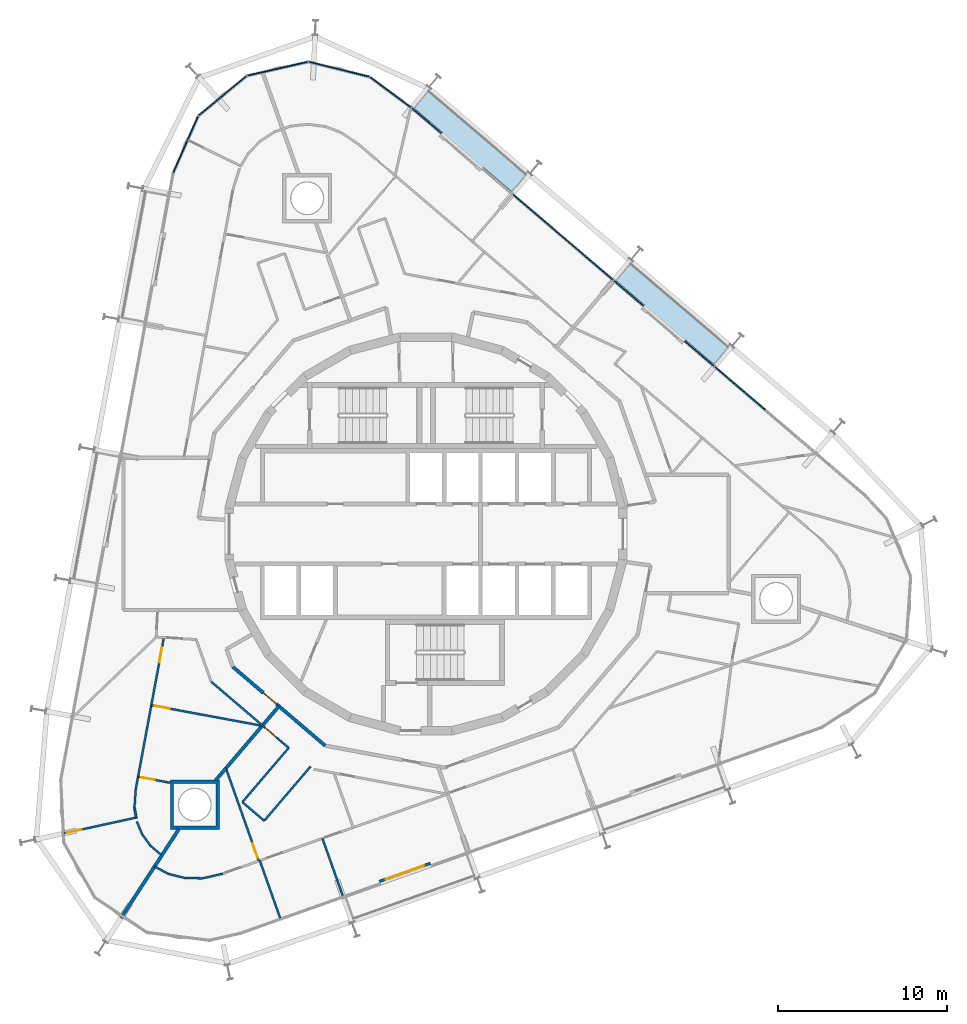
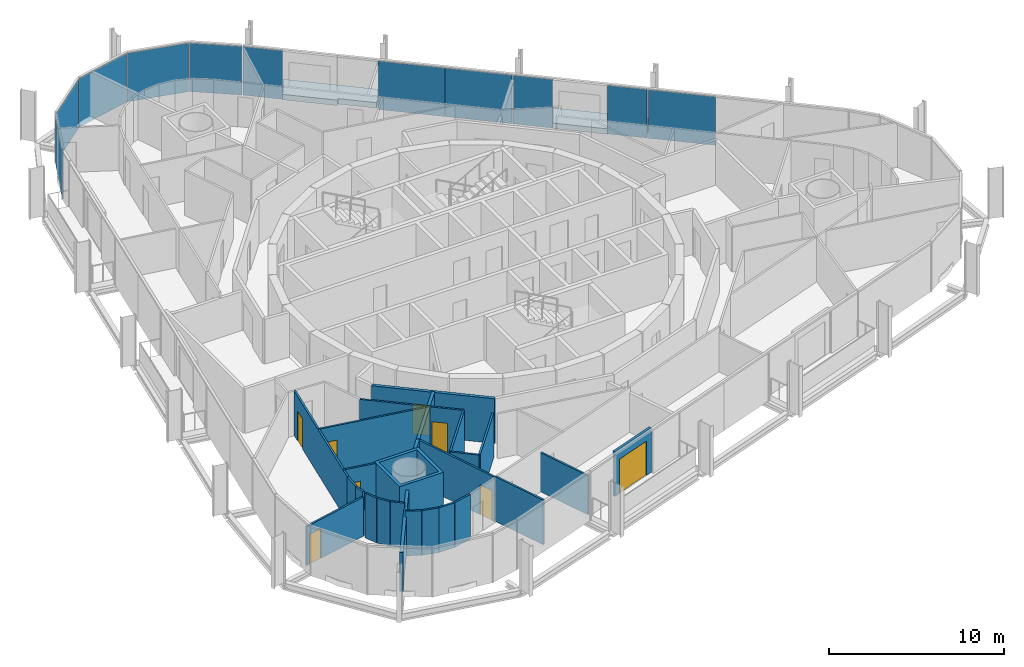
# One storey, part 10 of 17: 26 walls, 11 plates, 8 doors, 2 slabs, 8 openings, 2 elements without a shape of their own.
"""IFC4 building model written with IfcOpenShell, lengths in metres."""

from ifc_helpers import new_model, si_unit, direction, frame, frame_2d, origin, origin_2d, place, context, subcontext, project, spatial, polyline, rectangle, outline, extrude, material, layer, layer_set, type_object, element, fill, aggregate, save


model = new_model("IFC4")

# Units and contexts
model_context = context("Model", 3, precision=1e-05, world=origin(), true_north=direction((0.0, 1.0)))
body_context = subcontext(model_context, "Body", "Model", "MODEL_VIEW")
ifc_project = project(units=[si_unit("LENGTHUNIT", "METRE"), si_unit("AREAUNIT", "SQUARE_METRE"), si_unit("VOLUMEUNIT", "CUBIC_METRE"), si_unit("PLANEANGLEUNIT", "RADIAN"), si_unit("MASSUNIT", "GRAM", prefix="KILO")], contexts=[model_context])

# Site, building, storey
site_placement = place(None, origin())
site = spatial("IfcSite", under=ifc_project, at=site_placement, CompositionType="ELEMENT")
building_placement = place(site_placement, origin())
building = spatial("IfcBuilding", under=site, at=building_placement, Name="Spindle Arch Residences", CompositionType="ELEMENT")
storey_placement = place(building_placement, frame((0.0, 0.0, 172.699951171875)))
storey = spatial("IfcBuildingStorey", under=building, at=storey_placement, Name="L43", CompositionType="ELEMENT", Elevation=172.699951171875)

# Slabs
ifc_material_1 = material(Name="Concrete C40/50", Category="concrete")
ifc_layer_1 = layer(ifc_material_1, 0.3798828125)
ifc_layer_set_1 = layer_set([ifc_layer_1], Name="Balcony slab 380")
slab_type = type_object("IfcSlabType", Name="Balcony slab 380", PredefinedType="FLOOR", material=ifc_layer_set_1)
slab_1_placement = place(storey_placement, frame((0.0, 0.0, -0.3798828125)))
element("IfcSlab", 1, at=slab_1_placement, inside=storey, type_object=slab_type, Name="Balcony L43 bay 7", PredefinedType="FLOOR", context=body_context, shape_type="SweptSolid", body=[
    extrude(outline(polyline([(18.031494140625, 11.14208984375), (17.974365234375, 11.190673828125), (17.876953125, 11.07666015625), (12.128173828125, 15.986572265625), (12.2255859375, 16.1005859375), (12.168701171875, 16.1494140625), (11.200927734375, 15.016357421875), (12.915771484375, 13.5517578125), (12.811767578125, 13.43017578125), (15.2451171875, 11.351806640625), (15.34912109375, 11.4736328125), (17.063720703125, 10.009033203125), (18.031494140625, 11.14208984375)])), origin(), (0.0, 0.0, 1.0), 0.3798828125),
])
slab_2_placement = place(storey_placement, frame((0.0, 0.0, -0.3798828125)))
element("IfcSlab", 2, at=slab_2_placement, inside=storey, type_object=slab_type, Name="Balcony L43 bay 9", PredefinedType="FLOOR", context=body_context, shape_type="SweptSolid", body=[
    extrude(outline(polyline([(6.07763671875, 21.351318359375), (6.020751953125, 21.400146484375), (5.92333984375, 21.2861328125), (0.174560546875, 26.196044921875), (0.27197265625, 26.31005859375), (0.21484375, 26.358642578125), (-0.752685546875, 25.225830078125), (0.9619140625, 23.76123046875), (0.858154296875, 23.6396484375), (3.29150390625, 21.561279296875), (3.395263671875, 21.682861328125), (5.110107421875, 20.218505859375), (6.07763671875, 21.351318359375)])), origin(), (0.0, 0.0, 1.0), 0.3798828125),
])

# Curtain wall, plates
ifc_material_2 = material(Name="Aluminium bronze unitised frame with tinted glass", Category="aluminium")
ifc_layer_2 = layer(ifc_material_2, 0.159912109375)
ifc_layer_set_2 = layer_set([ifc_layer_2], Name="CW-C typical residential unitised wall")
curtain_wall_type_1 = type_object("IfcCurtainWallType", Name="CW-C typical residential unitised wall", PredefinedType="NOTDEFINED", material=ifc_layer_set_2)
curtain_wall_1_placement = place(storey_placement, origin())
curtain_wall_1 = element("IfcCurtainWall", 3, at=curtain_wall_1_placement, inside=storey, type_object=curtain_wall_type_1, Name="CW-C L43 run 2", PredefinedType="NOTDEFINED")
ifc_material_3 = material(Name="Tinted double glazing over non-combustible spandrel zone with 0.55 mm stainless steel cavity fire stop (K0)", Category="steel")
ifc_layer_3 = layer(ifc_material_3, 0.070068359375)
ifc_layer_set_3 = layer_set([ifc_layer_3], Name="Unitised glass panel with spandrel zone and stainless cavity fire stop")
plate_type = type_object("IfcPlateType", Name="Unitised glass panel with spandrel zone and stainless cavity fire stop", PredefinedType="CURTAIN_PANEL", material=ifc_layer_set_3)
plate_1_placement = place(storey_placement, frame((18.574462890625, 8.613525390625, -0.3798828125), z_axis=(0.0, 0.0, 1.0), x_axis=(-0.7604059656, 0.64944804833, 0.0)))
plate_1 = element("IfcPlate", 4, at=plate_1_placement, type_object=plate_type, Name="CW-C unit 05B", PredefinedType="CURTAIN_PANEL", context=body_context, shape_type="SweptSolid", body=[
    extrude(rectangle(XDim=3.900146484375, YDim=0.070068359375, at=origin_2d()), origin(), (0.0, 0.0, 1.0), 3.3798828125),
])
plate_2_placement = place(storey_placement, frame((16.171630859375, 10.665771484375, -0.3798828125), z_axis=(0.0, 0.0, 1.0), x_axis=(-0.7604059656, 0.64944804833, 0.0)))
plate_2 = element("IfcPlate", 5, at=plate_2_placement, type_object=plate_type, Name="CW-C unit 06L", PredefinedType="CURTAIN_PANEL", context=body_context, shape_type="SweptSolid", body=[
    extrude(rectangle(XDim=2.300048828125, YDim=0.070068359375, at=origin_2d()), origin(), (0.0, 0.0, 1.0), 3.3798828125),
])
plate_3_placement = place(storey_placement, frame((11.9892578125, 14.23779296875, -0.3798828125), z_axis=(0.0, 0.0, 1.0), x_axis=(-0.7604059656, 0.64944804833, 0.0)))
plate_3 = element("IfcPlate", 6, at=plate_3_placement, type_object=plate_type, Name="CW-C unit 06R", PredefinedType="CURTAIN_PANEL", context=body_context, shape_type="SweptSolid", body=[
    extrude(rectangle(XDim=2.300048828125, YDim=0.070068359375, at=origin_2d()), origin(), (0.0, 0.0, 1.0), 3.3798828125),
])
plate_4_placement = place(storey_placement, frame((9.58642578125, 16.2900390625, -0.3798828125), z_axis=(0.0, 0.0, 1.0), x_axis=(-0.7604059656, 0.64944804833, 0.0)))
plate_4 = element("IfcPlate", 7, at=plate_4_placement, type_object=plate_type, Name="CW-C unit 07A", PredefinedType="CURTAIN_PANEL", context=body_context, shape_type="SweptSolid", body=[
    extrude(rectangle(XDim=3.900146484375, YDim=0.070068359375, at=origin_2d()), origin(), (0.0, 0.0, 1.0), 3.3798828125),
])
plate_5_placement = place(storey_placement, frame((6.620849609375, 18.822998046875, -0.3798828125), z_axis=(0.0, 0.0, 1.0), x_axis=(-0.7604059656, 0.64944804833, 0.0)))
plate_5 = element("IfcPlate", 8, at=plate_5_placement, type_object=plate_type, Name="CW-C unit 07B", PredefinedType="CURTAIN_PANEL", context=body_context, shape_type="SweptSolid", body=[
    extrude(rectangle(XDim=3.900146484375, YDim=0.070068359375, at=origin_2d()), origin(), (0.0, 0.0, 1.0), 3.3798828125),
])
plate_6_placement = place(storey_placement, frame((0.03564453125, 24.447265625, -0.3798828125), z_axis=(0.0, 0.0, 1.0), x_axis=(-0.7604059656, 0.64944804833, 0.0)))
plate_6 = element("IfcPlate", 9, at=plate_6_placement, type_object=plate_type, Name="CW-C unit 08R", PredefinedType="CURTAIN_PANEL", context=body_context, shape_type="SweptSolid", body=[
    extrude(rectangle(XDim=2.300048828125, YDim=0.070068359375, at=origin_2d()), origin(), (0.0, 0.0, 1.0), 3.3798828125),
])
aggregate(curtain_wall_1, [plate_1, plate_2, plate_3, plate_4, plate_5, plate_6])

ifc_material_4 = material(Name="Aluminium bronze unitised frame with tinted glass", Category="aluminium")
ifc_layer_4 = layer(ifc_material_4, 0.159912109375)
ifc_layer_set_4 = layer_set([ifc_layer_4], Name="CW-D corner wall on the fillet arcs")
curtain_wall_type_2 = type_object("IfcCurtainWallType", Name="CW-D corner wall on the fillet arcs", PredefinedType="NOTDEFINED", material=ifc_layer_set_4)
curtain_wall_2_placement = place(storey_placement, origin())
curtain_wall_2 = element("IfcCurtainWall", 10, at=curtain_wall_2_placement, inside=storey, type_object=curtain_wall_type_2, Name="CW-D L43 run 3", PredefinedType="NOTDEFINED")
plate_7_placement = place(storey_placement, frame((-2.102294921875, 26.1298828125, -0.3798828125), z_axis=(0.0, 0.0, 1.0), x_axis=(-0.804365716131, 0.594134492109, 0.0)))
plate_7 = element("IfcPlate", 11, at=plate_7_placement, type_object=plate_type, Name="CW-D unit 00", PredefinedType="CURTAIN_PANEL", context=body_context, shape_type="SweptSolid", body=[
    extrude(rectangle(XDim=3.0244140625, YDim=0.070068359375, at=origin_2d()), origin(), (0.0, 0.0, 1.0), 3.3798828125),
])
plate_8_placement = place(storey_placement, frame((-5.152099609375, 27.49169921875, -0.3798828125), z_axis=(0.0, 0.0, 1.0), x_axis=(-0.970995342056, 0.239098401721, 0.0)))
plate_8 = element("IfcPlate", 12, at=plate_8_placement, type_object=plate_type, Name="CW-D unit 01", PredefinedType="CURTAIN_PANEL", context=body_context, shape_type="SweptSolid", body=[
    extrude(rectangle(XDim=3.666748046875, YDim=0.070068359375, at=origin_2d()), origin(), (0.0, 0.0, 1.0), 3.3798828125),
])
plate_9_placement = place(storey_placement, frame((-8.7783203125, 27.5234375, -0.3798828125), z_axis=(0.0, 0.0, 1.0), x_axis=(-0.975020297449, -0.222115779633, 0.0)))
plate_9 = element("IfcPlate", 13, at=plate_9_placement, type_object=plate_type, Name="CW-D unit 02", PredefinedType="CURTAIN_PANEL", context=body_context, shape_type="SweptSolid", body=[
    extrude(rectangle(XDim=3.666748046875, YDim=0.070068359375, at=origin_2d()), origin(), (0.0, 0.0, 1.0), 3.3798828125),
])
plate_10_placement = place(storey_placement, frame((-12.032958984375, 25.92431640625, -0.3798828125), z_axis=(0.0, 0.0, 1.0), x_axis=(-0.771624583032, -0.636078220709, 0.0)))
plate_10 = element("IfcPlate", 14, at=plate_10_placement, type_object=plate_type, Name="CW-D unit 03", PredefinedType="CURTAIN_PANEL", context=body_context, shape_type="SweptSolid", body=[
    extrude(rectangle(XDim=3.666748046875, YDim=0.070068359375, at=origin_2d()), origin(), (0.0, 0.0, 1.0), 3.3798828125),
])
plate_11_placement = place(storey_placement, frame((-14.2236328125, 23.034423828125, -0.3798828125), z_axis=(0.0, 0.0, 1.0), x_axis=(-0.404077526853, -0.914724741271, 0.0)))
plate_11 = element("IfcPlate", 15, at=plate_11_placement, type_object=plate_type, Name="CW-D unit 04", PredefinedType="CURTAIN_PANEL", context=body_context, shape_type="SweptSolid", body=[
    extrude(rectangle(XDim=3.666748046875, YDim=0.070068359375, at=origin_2d()), origin(), (0.0, 0.0, 1.0), 3.3798828125),
])
aggregate(curtain_wall_2, [plate_7, plate_8, plate_9, plate_10, plate_11])

# Wall, opening, door
ifc_material_5 = material(Name="Calcium silicate block, plastered")
ifc_layer_5 = layer(ifc_material_5, 0.199951171875)
ifc_layer_set_5 = layer_set([ifc_layer_5], Name="Corridor wall 200")
wall_type_1 = type_object("IfcWallType", Name="Corridor wall 200", PredefinedType="STANDARD", material=ifc_layer_set_5)
wall_1_placement = place(storey_placement, frame((-11.432861328125, -7.857666015625, 0.0), z_axis=(0.0, 0.0, 1.0), x_axis=(0.760412154545, -0.649440801937, 0.0)))
wall_1 = element("IfcWall", 16, at=wall_1_placement, inside=storey, type_object=wall_type_1, Name="Corridor wall R4C0-W016", PredefinedType="STANDARD", context=body_context, shape_type="SweptSolid", body=[
    extrude(rectangle(XDim=7.180908203125, YDim=0.199951171875, at=frame_2d((3.59033203125, 0.0))), origin(), (0.0, 0.0, 1.0), 3.1201171875),
])
opening_1_placement = place(wall_1_placement, frame((2.390380859375, 0.0, 0.0)))
opening_1 = element("IfcOpeningElement", 17, at=opening_1_placement, cuts=wall_1, Name="Opening R4C0-FD04", PredefinedType="OPENING", context=body_context, shape_type="SweptSolid", body=[
    extrude(rectangle(XDim=1.0, YDim=2.10009765625, at=frame_2d((0.5, 1.050048828125))), frame((0.0, 0.10986328125, 0.0), z_axis=(0.0, -1.0, 0.0), x_axis=(1.0, 0.0, 0.0)), (0.0, 0.0, 1.0), 0.219970703125),
])
ifc_material_6 = material(Name="Timber, fire-resisting door set", Category="wood")
door_type_1 = type_object("IfcDoorType", Name="Flat entrance door 1000x2100", OperationType="NOTDEFINED", PredefinedType="DOOR", material=ifc_material_6)
door_1_placement = place(opening_1_placement, origin())
door_1 = element("IfcDoor", 18, at=door_1_placement, inside=storey, type_object=door_type_1, Name="Flat entrance door R4C0-FD04", OperationType="SINGLE_SWING_RIGHT", OverallHeight=2.10009765625, OverallWidth=1.0, PredefinedType="DOOR", context=body_context, shape_type="SweptSolid", body=[
    extrude(rectangle(XDim=1.0, YDim=2.10009765625, at=frame_2d((0.5, 1.050048828125))), frame((0.0, 0.02490234375, 0.0), z_axis=(0.0, -1.0, 0.0), x_axis=(1.0, 0.0, 0.0)), (0.0, 0.0, 1.0), 0.050048828125),
])
fill(opening_1, door_1)

ifc_material_7 = material(Name="Plasterboard on steel studs", Category="steel")
ifc_layer_6 = layer(ifc_material_7, 0.1201171875)
ifc_layer_set_6 = layer_set([ifc_layer_6], Name="Flat partition 120")
wall_type_2 = type_object("IfcWallType", Name="Flat partition 120", PredefinedType="PARTITIONING", material=ifc_layer_set_6)
wall_2_placement = place(storey_placement, frame((-12.712646484375, -8.7373046875, 0.0), z_axis=(0.0, 0.0, 1.0), x_axis=(0.760432387723, -0.649417110725, 0.0)))
wall_2 = element("IfcWall", 19, at=wall_2_placement, inside=storey, type_object=wall_type_2, Name="Flat partition R4C0-W085", PredefinedType="PARTITIONING", context=body_context, shape_type="SweptSolid", body=[
    extrude(rectangle(XDim=6.0322265625, YDim=0.1201171875, at=frame_2d((3.01611328125, 0.0))), origin(), (0.0, 0.0, 1.0), 3.1201171875),
])
opening_2_placement = place(wall_2_placement, frame((4.1923828125, 0.0, 0.0)))
opening_2 = element("IfcOpeningElement", 20, at=opening_2_placement, cuts=wall_2, Name="Opening R4C0-ID22", PredefinedType="OPENING", context=body_context, shape_type="SweptSolid", body=[
    extrude(rectangle(XDim=0.89990234375, YDim=2.10009765625, at=frame_2d((0.449951171875, 1.050048828125))), frame((0.0, 0.070068359375, 0.0), z_axis=(0.0, -1.0, 0.0), x_axis=(1.0, 0.0, 0.0)), (0.0, 0.0, 1.0), 0.14013671875),
])
ifc_material_8 = material(Name="Timber door set", Category="wood")
door_type_2 = type_object("IfcDoorType", Name="Room door 900x2100", OperationType="NOTDEFINED", PredefinedType="DOOR", material=ifc_material_8)
door_2_placement = place(opening_2_placement, origin())
door_2 = element("IfcDoor", 21, at=door_2_placement, inside=storey, type_object=door_type_2, Name="Room door R4C0-ID22", OperationType="SINGLE_SWING_LEFT", OverallHeight=2.10009765625, OverallWidth=0.89990234375, PredefinedType="DOOR", context=body_context, shape_type="SweptSolid", body=[
    extrude(rectangle(XDim=0.89990234375, YDim=2.10009765625, at=frame_2d((0.449951171875, 1.050048828125))), frame((0.0, 0.02490234375, 0.0), z_axis=(0.0, -1.0, 0.0), x_axis=(1.0, 0.0, 0.0)), (0.0, 0.0, 1.0), 0.050048828125),
])
fill(opening_2, door_2)

wall_3_placement = place(storey_placement, frame((-15.509765625, -6.1298828125, 0.0), z_axis=(0.0, 0.0, 1.0), x_axis=(-0.182243361628, -0.98325345519, 0.0)))
wall_3 = element("IfcWall", 22, at=wall_3_placement, inside=storey, type_object=wall_type_2, Name="Flat partition R4C0-W087", PredefinedType="PARTITIONING", context=body_context, shape_type="SweptSolid", body=[
    extrude(rectangle(XDim=9.1337890625, YDim=0.1201171875, at=frame_2d((4.56689453125, 0.0))), origin(), (0.0, 0.0, 1.0), 3.1201171875),
])
opening_3_placement = place(wall_3_placement, frame((0.60009765625, 0.0, 0.0)))
opening_3 = element("IfcOpeningElement", 23, at=opening_3_placement, cuts=wall_3, Name="Opening R4C0-ID19", PredefinedType="OPENING", context=body_context, shape_type="SweptSolid", body=[
    extrude(rectangle(XDim=0.89990234375, YDim=2.10009765625, at=frame_2d((0.449951171875, 1.050048828125))), frame((0.0, 0.070068359375, 0.0), z_axis=(0.0, -1.0, 0.0), x_axis=(1.0, 0.0, 0.0)), (0.0, 0.0, 1.0), 0.14013671875),
])
door_3_placement = place(opening_3_placement, origin())
door_3 = element("IfcDoor", 24, at=door_3_placement, inside=storey, type_object=door_type_2, Name="Room door R4C0-ID19", OperationType="SINGLE_SWING_RIGHT", OverallHeight=2.10009765625, OverallWidth=0.89990234375, PredefinedType="DOOR", context=body_context, shape_type="SweptSolid", body=[
    extrude(rectangle(XDim=0.89990234375, YDim=2.10009765625, at=frame_2d((0.449951171875, 1.050048828125))), frame((0.0, 0.02490234375, 0.0), z_axis=(0.0, -1.0, 0.0), x_axis=(1.0, 0.0, 0.0)), (0.0, 0.0, 1.0), 0.050048828125),
])
fill(opening_3, door_3)

wall_4_placement = place(storey_placement, frame((-16.251708984375, -10.133056640625, 0.0), z_axis=(0.0, 0.0, 1.0), x_axis=(0.983256998026, -0.182224246005, 0.0)))
wall_4 = element("IfcWall", 25, at=wall_4_placement, inside=storey, type_object=wall_type_2, Name="Flat partition R4C0-W088", PredefinedType="PARTITIONING", context=body_context, shape_type="SweptSolid", body=[
    extrude(rectangle(XDim=6.670654296875, YDim=0.1201171875, at=frame_2d((3.33544921875, 0.0))), origin(), (0.0, 0.0, 1.0), 3.1201171875),
])
opening_4_placement = place(wall_4_placement, frame((0.199951171875, 0.0, 0.0)))
opening_4 = element("IfcOpeningElement", 26, at=opening_4_placement, cuts=wall_4, Name="Opening R4C0-ID20", PredefinedType="OPENING", context=body_context, shape_type="SweptSolid", body=[
    extrude(rectangle(XDim=0.89990234375, YDim=2.10009765625, at=frame_2d((0.449951171875, 1.050048828125))), frame((0.0, 0.070068359375, 0.0), z_axis=(0.0, -1.0, 0.0), x_axis=(1.0, 0.0, 0.0)), (0.0, 0.0, 1.0), 0.14013671875),
])
door_4_placement = place(opening_4_placement, origin())
door_4 = element("IfcDoor", 27, at=door_4_placement, inside=storey, type_object=door_type_2, Name="Room door R4C0-ID20", OperationType="SINGLE_SWING_RIGHT", OverallHeight=2.10009765625, OverallWidth=0.89990234375, PredefinedType="DOOR", context=body_context, shape_type="SweptSolid", body=[
    extrude(rectangle(XDim=0.89990234375, YDim=2.10009765625, at=frame_2d((0.449951171875, 1.050048828125))), frame((0.0, 0.02490234375, 0.0), z_axis=(0.0, -1.0, 0.0), x_axis=(1.0, 0.0, 0.0)), (0.0, 0.0, 1.0), 0.050048828125),
])
fill(opening_4, door_4)

# Walls
wall_5_placement = place(storey_placement, frame((-17.142822265625, -16.81689453125, 0.0), z_axis=(0.0, 0.0, 1.0), x_axis=(-0.164964120994, 0.98629956848, 0.0)))
element("IfcWall", 28, at=wall_5_placement, inside=storey, type_object=wall_type_2, Name="Flat partition R4C0-W089", PredefinedType="PARTITIONING", context=body_context, shape_type="SweptSolid", body=[
    extrude(rectangle(XDim=0.63037109375, YDim=0.1201171875, at=frame_2d((0.315185546875, 0.0))), origin(), (0.0, 0.0, 1.0), 3.1201171875),
])
wall_6_placement = place(storey_placement, frame((-17.246826171875, -16.195068359375, 0.0), z_axis=(0.0, 0.0, 1.0), x_axis=(0.066712820538, 0.997772218282, 0.0)))
element("IfcWall", 29, at=wall_6_placement, inside=storey, type_object=wall_type_2, Name="Flat partition R4C0-W090", PredefinedType="PARTITIONING", context=body_context, shape_type="SweptSolid", body=[
    extrude(rectangle(XDim=1.0869140625, YDim=0.1201171875, at=frame_2d((0.54345703125, 0.0))), origin(), (0.0, 0.0, 1.0), 3.1201171875),
])

# Wall, opening, door
wall_7_placement = place(storey_placement, frame((-17.0361328125, -14.3662109375, 0.0), z_axis=(0.0, 0.0, 1.0), x_axis=(0.983259435886, -0.182211091156, 0.0)))
wall_7 = element("IfcWall", 30, at=wall_7_placement, inside=storey, type_object=wall_type_2, Name="Flat partition R4C0-W092", PredefinedType="PARTITIONING", context=body_context, shape_type="SweptSolid", body=[
    extrude(rectangle(XDim=1.9375, YDim=0.1201171875, at=frame_2d((0.96875, 0.0))), origin(), (0.0, 0.0, 1.0), 3.1201171875),
])
opening_5_placement = place(wall_7_placement, frame((0.199951171875, 0.0, 0.0)))
opening_5 = element("IfcOpeningElement", 31, at=opening_5_placement, cuts=wall_7, Name="Opening R4C0-BD04", PredefinedType="OPENING", context=body_context, shape_type="SweptSolid", body=[
    extrude(rectangle(XDim=0.800048828125, YDim=2.10009765625, at=frame_2d((0.39990234375, 1.050048828125))), frame((0.0, 0.070068359375, 0.0), z_axis=(0.0, -1.0, 0.0), x_axis=(1.0, 0.0, 0.0)), (0.0, 0.0, 1.0), 0.14013671875),
])
ifc_material_9 = material(Name="Timber door set", Category="wood")
door_type_3 = type_object("IfcDoorType", Name="Bathroom door 800x2100", OperationType="NOTDEFINED", PredefinedType="DOOR", material=ifc_material_9)
door_5_placement = place(opening_5_placement, origin())
door_5 = element("IfcDoor", 32, at=door_5_placement, inside=storey, type_object=door_type_3, Name="Bathroom door R4C0-BD04", OperationType="SINGLE_SWING_RIGHT", OverallHeight=2.10009765625, OverallWidth=0.800048828125, PredefinedType="DOOR", context=body_context, shape_type="SweptSolid", body=[
    extrude(rectangle(XDim=0.800048828125, YDim=2.10009765625, at=frame_2d((0.39990234375, 1.050048828125))), frame((0.0, 0.02490234375, 0.0), z_axis=(0.0, -1.0, 0.0), x_axis=(1.0, 0.0, 0.0)), (0.0, 0.0, 1.0), 0.050048828125),
])
fill(opening_5, door_5)

# Walls
for number, where, z_axis, x_axis, name in (
    (33, (-17.110107421875, -17.0126953125, 0.0), (0.0, 0.0, 1.0), (0.388188667698, -0.921579925059, 0.0), "Flat partition R4C0-W093"),
    (34, (-16.788330078125, -17.776611328125, 0.0), (0.0, 0.0, 1.0), (0.590009203945, -0.807396519227, 0.0), "Flat partition R4C0-W094"),
    (35, (-16.29931640625, -18.44580078125, 0.0), (0.0, 0.0, 1.0), (0.760440337536, -0.649407801807, 0.0), "Flat partition R4C0-W095"),
):
    element("IfcWall", number, at=place(storey_placement, frame(where, z_axis=z_axis, x_axis=x_axis)), inside=storey, type_object=wall_type_2, Name=name, PredefinedType="PARTITIONING", context=body_context, shape_type="SweptSolid", body=[
        extrude(rectangle(XDim=0.828857421875, YDim=0.1201171875, at=frame_2d((0.41455078125, 0.0))), origin(), (0.0, 0.0, 1.0), 3.1201171875),
    ])
wall_8_placement = place(storey_placement, frame((-8.12548828125, -12.65478515625, 0.0), z_axis=(0.0, 0.0, 1.0), x_axis=(-0.649441944702, -0.760411178549, 0.0)))
element("IfcWall", 36, at=wall_8_placement, inside=storey, type_object=wall_type_2, Name="Flat partition R4C0-W096", PredefinedType="PARTITIONING", context=body_context, shape_type="SweptSolid", body=[
    extrude(rectangle(XDim=4.2197265625, YDim=0.1201171875, at=frame_2d((2.10986328125, 0.0))), origin(), (0.0, 0.0, 1.0), 3.1201171875),
])
wall_9_placement = place(storey_placement, frame((-10.865966796875, -15.863525390625, 0.0), z_axis=(0.0, 0.0, 1.0), x_axis=(0.760431300628, -0.649418383652, 0.0)))
element("IfcWall", 37, at=wall_9_placement, inside=storey, type_object=wall_type_2, Name="Flat partition R4C0-W097", PredefinedType="PARTITIONING", context=body_context, shape_type="SweptSolid", body=[
    extrude(rectangle(XDim=1.699951171875, YDim=0.1201171875, at=frame_2d((0.85009765625, 0.0))), origin(), (0.0, 0.0, 1.0), 3.1201171875),
])
wall_10_placement = place(storey_placement, frame((-9.5732421875, -16.967529296875, 0.0), z_axis=(0.0, 0.0, 1.0), x_axis=(0.649437062208, 0.760415348498, 0.0)))
element("IfcWall", 38, at=wall_10_placement, inside=storey, type_object=wall_type_2, Name="Flat partition R4C0-W098", PredefinedType="PARTITIONING", context=body_context, shape_type="SweptSolid", body=[
    extrude(rectangle(XDim=4.219482421875, YDim=0.1201171875, at=frame_2d((2.10986328125, 0.0))), origin(), (0.0, 0.0, 1.0), 3.1201171875),
])
wall_11_placement = place(storey_placement, frame((-16.065185546875, -19.679931640625, 0.0), z_axis=(0.0, 0.0, 1.0), x_axis=(0.889684645268, -0.456575549033, 0.0)))
element("IfcWall", 39, at=wall_11_placement, inside=storey, type_object=wall_type_2, Name="Flat partition R4C0-W100", PredefinedType="PARTITIONING", context=body_context, shape_type="SweptSolid", body=[
    extrude(rectangle(XDim=0.95703125, YDim=0.1201171875, at=frame_2d((0.478515625, 0.0))), origin(), (0.0, 0.0, 1.0), 3.1201171875),
])
wall_12_placement = place(storey_placement, frame((-15.213623046875, -20.116943359375, 0.0), z_axis=(0.0, 0.0, 1.0), x_axis=(0.970998575146, -0.239085271534, 0.0)))
element("IfcWall", 40, at=wall_12_placement, inside=storey, type_object=wall_type_2, Name="Flat partition R4C0-W101", PredefinedType="PARTITIONING", context=body_context, shape_type="SweptSolid", body=[
    extrude(rectangle(XDim=1.01611328125, YDim=0.1201171875, at=frame_2d((0.508056640625, 0.0))), origin(), (0.0, 0.0, 1.0), 3.1201171875),
])
wall_13_placement = place(storey_placement, frame((-14.22705078125, -20.35986328125, 0.0), z_axis=(0.0, 0.0, 1.0), x_axis=(0.999960467683, -0.008891741722, 0.0)))
element("IfcWall", 41, at=wall_13_placement, inside=storey, type_object=wall_type_2, Name="Flat partition R4C0-W102", PredefinedType="PARTITIONING", context=body_context, shape_type="SweptSolid", body=[
    extrude(rectangle(XDim=1.015869140625, YDim=0.1201171875, at=frame_2d((0.5078125, 0.0))), origin(), (0.0, 0.0, 1.0), 3.1201171875),
])
wall_14_placement = place(storey_placement, frame((-13.211181640625, -20.368896484375, 0.0), z_axis=(0.0, 0.0, 1.0), x_axis=(0.974997834831, 0.222214360642, 0.0)))
element("IfcWall", 42, at=wall_14_placement, inside=storey, type_object=wall_type_2, Name="Flat partition R4C0-W103", PredefinedType="PARTITIONING", context=body_context, shape_type="SweptSolid", body=[
    extrude(rectangle(XDim=1.227294921875, YDim=0.1201171875, at=frame_2d((0.61376953125, 0.0))), origin(), (0.0, 0.0, 1.0), 3.1201171875),
])

# Wall, opening, door
wall_15_placement = place(storey_placement, frame((-9.895263671875, -19.345703125, 0.0), z_axis=(0.0, 0.0, 1.0), x_axis=(-0.333781129158, 0.942650602195, 0.0)))
wall_15 = element("IfcWall", 43, at=wall_15_placement, inside=storey, type_object=wall_type_2, Name="Flat partition R4C0-W105", PredefinedType="PARTITIONING", context=body_context, shape_type="SweptSolid", body=[
    extrude(rectangle(XDim=5.8193359375, YDim=0.1201171875, at=frame_2d((2.90966796875, 0.0))), origin(), (0.0, 0.0, 1.0), 3.1201171875),
])
opening_6_placement = place(wall_15_placement, frame((0.199951171875, 0.0, 0.0)))
opening_6 = element("IfcOpeningElement", 44, at=opening_6_placement, cuts=wall_15, Name="Opening R4C0-ID23", PredefinedType="OPENING", context=body_context, shape_type="SweptSolid", body=[
    extrude(rectangle(XDim=0.89990234375, YDim=2.10009765625, at=frame_2d((0.449951171875, 1.050048828125))), frame((0.0, 0.070068359375, 0.0), z_axis=(0.0, -1.0, 0.0), x_axis=(1.0, 0.0, 0.0)), (0.0, 0.0, 1.0), 0.14013671875),
])
door_6_placement = place(opening_6_placement, origin())
door_6 = element("IfcDoor", 45, at=door_6_placement, inside=storey, type_object=door_type_2, Name="Room door R4C0-ID23", OperationType="SINGLE_SWING_LEFT", OverallHeight=2.10009765625, OverallWidth=0.89990234375, PredefinedType="DOOR", context=body_context, shape_type="SweptSolid", body=[
    extrude(rectangle(XDim=0.89990234375, YDim=2.10009765625, at=frame_2d((0.449951171875, 1.050048828125))), frame((0.0, 0.02490234375, 0.0), z_axis=(0.0, -1.0, 0.0), x_axis=(1.0, 0.0, 0.0)), (0.0, 0.0, 1.0), 0.050048828125),
])
fill(opening_6, door_6)

# Wall
wall_16_placement = place(storey_placement, frame((-8.632080078125, -22.717529296875, 0.0), z_axis=(0.0, 0.0, 1.0), x_axis=(-0.333791905243, 0.942646786445, 0.0)))
element("IfcWall", 46, at=wall_16_placement, inside=storey, type_object=wall_type_2, Name="Flat partition R4C0-W106", PredefinedType="PARTITIONING", context=body_context, shape_type="SweptSolid", body=[
    extrude(rectangle(XDim=3.60009765625, YDim=0.1201171875, at=frame_2d((1.800048828125, 0.0))), origin(), (0.0, 0.0, 1.0), 3.1201171875),
])

# Wall, opening, door
ifc_material_10 = material(Name="Plasterboard on steel studs", Category="steel")
ifc_layer_7 = layer(ifc_material_10, 0.1201171875)
ifc_layer_set_7 = layer_set([ifc_layer_7], Name="Flat partition 120 under beam 2730")
wall_type_3 = type_object("IfcWallType", Name="Flat partition 120 under beam 2730", PredefinedType="PARTITIONING", material=ifc_layer_set_7)
wall_17_placement = place(storey_placement, frame((-21.452880859375, -17.71923828125, 0.0), z_axis=(0.0, 0.0, 1.0), x_axis=(0.976887361549, 0.213754725903, 0.0)))
wall_17 = element("IfcWall", 47, at=wall_17_placement, inside=storey, type_object=wall_type_3, Name="Flat partition R4C0-W091", PredefinedType="PARTITIONING", context=body_context, shape_type="SweptSolid", body=[
    extrude(rectangle(XDim=4.4052734375, YDim=0.1201171875, at=frame_2d((2.20263671875, 0.0))), origin(), (0.0, 0.0, 1.0), 2.72998046875),
])
opening_7_placement = place(wall_17_placement, frame((0.199951171875, 0.0, 0.0)))
opening_7 = element("IfcOpeningElement", 48, at=opening_7_placement, cuts=wall_17, Name="Opening R4C0-ID21", PredefinedType="OPENING", context=body_context, shape_type="SweptSolid", body=[
    extrude(rectangle(XDim=0.89990234375, YDim=2.10009765625, at=frame_2d((0.449951171875, 1.050048828125))), frame((0.0, 0.070068359375, 0.0), z_axis=(0.0, -1.0, 0.0), x_axis=(1.0, 0.0, 0.0)), (0.0, 0.0, 1.0), 0.14013671875),
])
door_7_placement = place(opening_7_placement, origin())
door_7 = element("IfcDoor", 49, at=door_7_placement, inside=storey, type_object=door_type_2, Name="Room door R4C0-ID21", OperationType="SINGLE_SWING_RIGHT", OverallHeight=2.10009765625, OverallWidth=0.89990234375, PredefinedType="DOOR", context=body_context, shape_type="SweptSolid", body=[
    extrude(rectangle(XDim=0.89990234375, YDim=2.10009765625, at=frame_2d((0.449951171875, 1.050048828125))), frame((0.0, 0.02490234375, 0.0), z_axis=(0.0, -1.0, 0.0), x_axis=(1.0, 0.0, 0.0)), (0.0, 0.0, 1.0), 0.050048828125),
])
fill(opening_7, door_7)

# Walls
wall_18_placement = place(storey_placement, frame((-4.927490234375, -21.405517578125, 0.0), z_axis=(0.0, 0.0, 1.0), x_axis=(-0.333813244781, 0.942639229827, 0.0)))
element("IfcWall", 50, at=wall_18_placement, inside=storey, type_object=wall_type_3, Name="Flat partition R4C0-W108", PredefinedType="PARTITIONING", context=body_context, shape_type="SweptSolid", body=[
    extrude(rectangle(XDim=3.599853515625, YDim=0.1201171875, at=frame_2d((1.7998046875, 0.0))), origin(), (0.0, 0.0, 1.0), 2.72998046875),
])
ifc_material_11 = material(Name="Calcium silicate block, plastered")
ifc_layer_8 = layer(ifc_material_11, 0.199951171875)
ifc_layer_set_8 = layer_set([ifc_layer_8], Name="Flat party wall 200")
wall_type_4 = type_object("IfcWallType", Name="Flat party wall 200", PredefinedType="STANDARD", material=ifc_layer_set_8)
wall_19_placement = place(storey_placement, frame((-11.837646484375, -13.860107421875, 0.0), z_axis=(0.0, 0.0, 1.0), x_axis=(0.64944503311, 0.760408540831, 0.0)))
element("IfcWall", 51, at=wall_19_placement, inside=storey, type_object=wall_type_4, Name="Flat party wall R4C0-W033", PredefinedType="STANDARD", context=body_context, shape_type="SweptSolid", body=[
    extrude(rectangle(XDim=4.8271484375, YDim=0.199951171875, at=frame_2d((2.41357421875, 0.0))), origin(), (0.0, 0.0, 1.0), 3.1201171875),
])
wall_20_placement = place(storey_placement, frame((-12.44287109375, -14.568603515625, 0.0), z_axis=(0.0, 0.0, 1.0), x_axis=(0.649517408851, 0.760346720648, 0.0)))
element("IfcWall", 52, at=wall_20_placement, inside=storey, type_object=wall_type_4, Name="Flat party wall R4C0-W034", PredefinedType="STANDARD", context=body_context, shape_type="SweptSolid", body=[
    extrude(rectangle(XDim=0.931884765625, YDim=0.199951171875, at=frame_2d((0.4658203125, 0.0))), origin(), (0.0, 0.0, 1.0), 3.1201171875),
])
ifc_material_12 = material(Name="Calcium silicate block, plastered")
ifc_layer_9 = layer(ifc_material_12, 0.199951171875)
ifc_layer_set_9 = layer_set([ifc_layer_9], Name="Flat party wall 200 under beam 2730")
wall_type_5 = type_object("IfcWallType", Name="Flat party wall 200 under beam 2730", PredefinedType="STANDARD", material=ifc_layer_set_9)
wall_21_placement = place(storey_placement, frame((-18.039794921875, -22.712890625, 0.0), z_axis=(0.0, 0.0, 1.0), x_axis=(0.545628572271, 0.838027124335, 0.0)))
element("IfcWall", 53, at=wall_21_placement, inside=storey, type_object=wall_type_5, Name="Flat party wall R4C0-W035", PredefinedType="STANDARD", context=body_context, shape_type="SweptSolid", body=[
    extrude(rectangle(XDim=6.258056640625, YDim=0.199951171875, at=frame_2d((3.12890625, 0.0))), origin(), (0.0, 0.0, 1.0), 2.72998046875),
])

# Wall, opening, door
ifc_material_13 = material(Name="Non-combustible mineral wool insulated aluminium faced external wall (K0)", Category="aluminium")
ifc_layer_10 = layer(ifc_material_13, 0.159912109375)
ifc_layer_set_10 = layer_set([ifc_layer_10], Name="Insulated external wall panel 160")
wall_type_6 = type_object("IfcWallType", Name="Insulated external wall panel 160", PredefinedType="STANDARD", material=ifc_layer_set_10)
wall_22_placement = place(storey_placement, frame((-2.7578125, -20.55224609375, 0.0), z_axis=(0.0, 0.0, 1.0), x_axis=(0.94265323131, 0.333773704029, 0.0)))
wall_22 = element("IfcWall", 54, at=wall_22_placement, inside=storey, type_object=wall_type_6, Name="External wall L43 bay 21", PredefinedType="STANDARD", context=body_context, shape_type="SweptSolid", body=[
    extrude(rectangle(XDim=3.2001953125, YDim=0.159912109375, at=frame_2d((1.60009765625, 0.0))), origin(), (0.0, 0.0, 1.0), 3.1201171875),
])
opening_8_placement = place(wall_22_placement, frame((0.39990234375, 0.0, 0.0)))
opening_8 = element("IfcOpeningElement", 55, at=opening_8_placement, cuts=wall_22, Name="Opening BD21", PredefinedType="OPENING", context=body_context, shape_type="SweptSolid", body=[
    extrude(rectangle(XDim=2.39990234375, YDim=2.39990234375, at=frame_2d((1.199951171875, 1.199951171875))), frame((0.0, 0.08984375, 0.0), z_axis=(0.0, -1.0, 0.0), x_axis=(1.0, 0.0, 0.0)), (0.0, 0.0, 1.0), 0.179931640625),
])
ifc_material_14 = material(Name="Bronze aluminium frame, tinted double glazing", Category="aluminium")
door_type_4 = type_object("IfcDoorType", Name="Sliding glazed balcony door 2400x2400", OperationType="DOUBLE_DOOR_SLIDING", PredefinedType="DOOR", material=ifc_material_14)
door_8_placement = place(opening_8_placement, origin())
door_8 = element("IfcDoor", 56, at=door_8_placement, inside=storey, type_object=door_type_4, Name="Balcony door BD21", OperationType="DOUBLE_DOOR_SLIDING", OverallHeight=2.39990234375, OverallWidth=2.39990234375, PredefinedType="DOOR", context=body_context, shape_type="SweptSolid", body=[
    extrude(rectangle(XDim=2.39990234375, YDim=2.39990234375, at=frame_2d((1.199951171875, 1.199951171875))), frame((0.0, 0.02490234375, 0.0), z_axis=(0.0, -1.0, 0.0), x_axis=(1.0, 0.0, 0.0)), (0.0, 0.0, 1.0), 0.050048828125),
])
fill(opening_8, door_8)

# Wall
ifc_material_15 = material(Name="Calcium silicate block, plastered")
ifc_layer_11 = layer(ifc_material_15, 0.199951171875)
ifc_layer_set_11 = layer_set([ifc_layer_11], Name="Mega-column casing wall 200")
wall_type_7 = type_object("IfcWallType", Name="Mega-column casing wall 200", PredefinedType="STANDARD", material=ifc_layer_set_11)
wall_23_placement = place(storey_placement, origin())
element("IfcWall", 57, at=wall_23_placement, inside=storey, type_object=wall_type_7, Name="Mega-column casing wall R4C0-WC02", PredefinedType="STANDARD", context=body_context, shape_type="SweptSolid", body=[
    extrude(outline(polyline([(-12.231201171875, -14.568603515625), (-12.231201171875, -17.468505859375), (-15.131103515625, -17.468505859375), (-15.131103515625, -14.568603515625), (-12.231201171875, -14.568603515625)]), holes=[polyline([(-14.93115234375, -17.2685546875), (-12.43115234375, -17.2685546875), (-12.43115234375, -14.7685546875), (-14.93115234375, -14.7685546875), (-14.93115234375, -17.2685546875)])]), origin(), (0.0, 0.0, 1.0), 3.1201171875),
])

save(model, "model.ifc")
